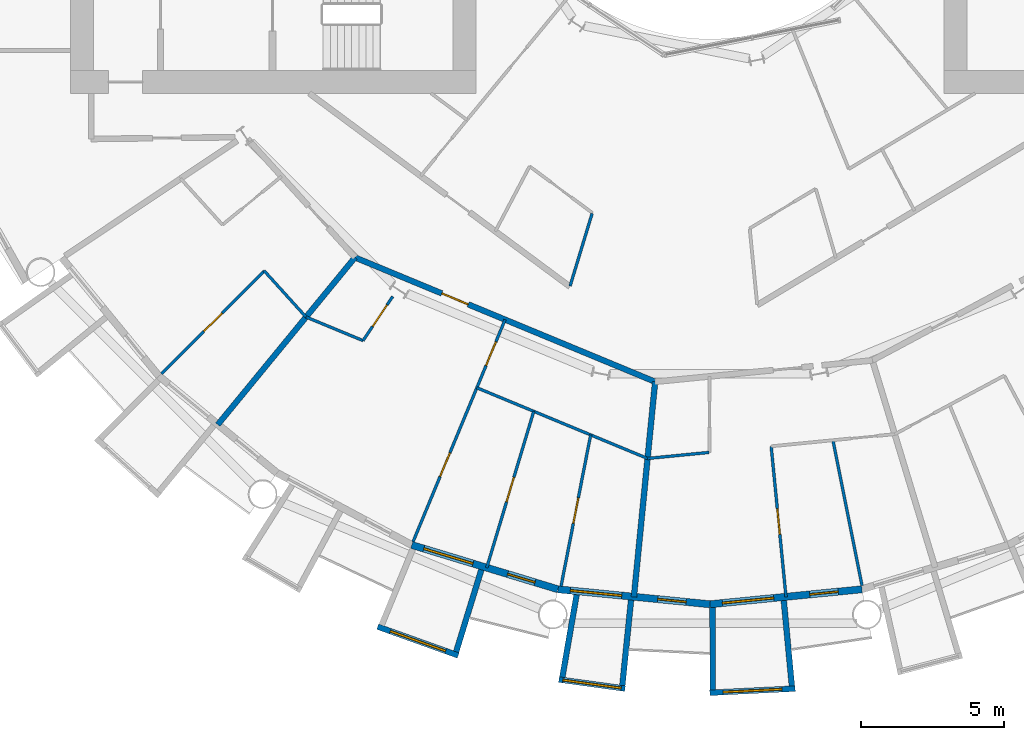
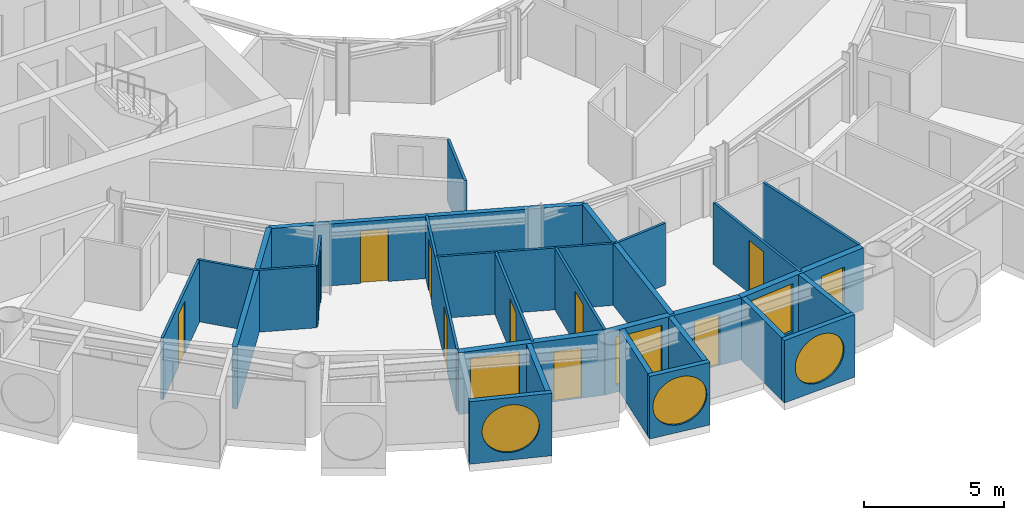
# One storey, part 13 of 26: 26 walls, 11 doors, 6 windows, 17 openings.
"""IFC4 building model written with IfcOpenShell, lengths in metres."""

from ifc_helpers import new_model, si_unit, direction, frame, frame_2d, origin, place, context, subcontext, project, spatial, rectangle, circle, extrude, material, layer, layer_set, type_object, element, fill, save


model = new_model("IFC4")

# Units and contexts
model_context = context("Model", 3, precision=1e-05, world=origin(), true_north=direction((0.0, 1.0)))
body_context = subcontext(model_context, "Body", "Model", "MODEL_VIEW")
ifc_project = project(units=[si_unit("LENGTHUNIT", "METRE"), si_unit("AREAUNIT", "SQUARE_METRE"), si_unit("VOLUMEUNIT", "CUBIC_METRE"), si_unit("PLANEANGLEUNIT", "RADIAN"), si_unit("MASSUNIT", "GRAM", prefix="KILO")], contexts=[model_context])

# Site, building, storey
site_placement = place(None, origin())
site = spatial("IfcSite", under=ifc_project, at=site_placement, CompositionType="ELEMENT")
building_placement = place(site_placement, origin())
building = spatial("IfcBuilding", under=site, at=building_placement, Name="Maasbend Ring Residences", CompositionType="ELEMENT")
storey_placement = place(building_placement, frame((0.0, 0.0, 47.199951171875)))
storey = spatial("IfcBuildingStorey", under=building, at=storey_placement, Name="L13", CompositionType="ELEMENT", Elevation=47.199951171875)

# Wall, opening, door
ifc_material_1 = material(Name="Concrete C30/37", Category="concrete")
ifc_layer_1 = layer(ifc_material_1, 0.199951171875)
ifc_layer_set_1 = layer_set([ifc_layer_1], Name="Concrete C30/37")
wall_type_1 = type_object("IfcWallType", Name="CORRIDOR WALL 200 CONCRETE", PredefinedType="PARTITIONING", material=ifc_layer_set_1)
wall_1_placement = place(storey_placement, frame((-12.43408203125, -15.15087890625, 0.0), z_axis=(0.0, 0.0, 1.0), x_axis=(0.923888467236, -0.382661861319, 0.0)))
wall_1 = element("IfcWall", 1, at=wall_1_placement, inside=storey, type_object=wall_type_1, Name="U-L13-w019", PredefinedType="PARTITIONING", context=body_context, shape_type="SweptSolid", body=[
    extrude(rectangle(XDim=11.38134765625, YDim=0.199951171875, at=frame_2d((5.690673828125, 0.0))), origin(), (0.0, 0.0, 1.0), 2.699951171875),
])
opening_1_placement = place(wall_1_placement, frame((3.2919921875, 0.0, 0.0)))
opening_1 = element("IfcOpeningElement", 2, at=opening_1_placement, cuts=wall_1, Name="Opening D-1333", PredefinedType="OPENING", context=body_context, shape_type="SweptSolid", body=[
    extrude(rectangle(XDim=1.0, YDim=2.300048828125, at=frame_2d((0.5, 1.14990234375))), frame((0.0, 0.10986328125, 0.0), z_axis=(0.0, -1.0, 0.0), x_axis=(1.0, 0.0, 0.0)), (0.0, 0.0, 1.0), 0.219970703125),
])
ifc_material_2 = material(Name="Timber, fire-rated, painted", Category="wood")
door_type_1 = type_object("IfcDoorType", Name="FLAT ENTRANCE DOOR 1000 X 2300 FIRE-RATED", OperationType="NOTDEFINED", PredefinedType="DOOR", material=ifc_material_2)
door_1_placement = place(opening_1_placement, origin())
door_1 = element("IfcDoor", 3, at=door_1_placement, inside=storey, type_object=door_type_1, Name="D-1333", OperationType="SINGLE_SWING_LEFT", OverallHeight=2.300048828125, OverallWidth=1.0, PredefinedType="DOOR", context=body_context, shape_type="SweptSolid", body=[
    extrude(rectangle(XDim=1.0, YDim=2.300048828125, at=frame_2d((0.5, 1.14990234375))), frame((0.0, 0.02490234375, 0.0), z_axis=(0.0, -1.0, 0.0), x_axis=(1.0, 0.0, 0.0)), (0.0, 0.0, 1.0), 0.050048828125),
])
fill(opening_1, door_1)

# Wall, opening, window
ifc_material_3 = material(Name="Pale anodised aluminium panel", Category="aluminium")
ifc_layer_2 = layer(ifc_material_3, 0.199951171875)
ifc_layer_set_2 = layer_set([ifc_layer_2], Name="EW-BOX")
wall_type_2 = type_object("IfcWallType", Name="EW-BOX", PredefinedType="SOLIDWALL", material=ifc_layer_set_2)
wall_2_placement = place(storey_placement, frame((-11.637939453125, -28.083984375, -0.030029296875), z_axis=(0.0, 0.0, 1.0), x_axis=(0.941461077774, -0.337121697664, 0.0)))
wall_2 = element("IfcWall", 4, at=wall_2_placement, inside=storey, type_object=wall_type_2, Name="Box front S07", PredefinedType="SOLIDWALL", context=body_context, shape_type="SweptSolid", body=[
    extrude(rectangle(XDim=2.9931640625, YDim=0.199951171875, at=frame_2d((1.49658203125, 0.0))), origin(), (0.0, 0.0, 1.0), 2.72998046875),
])
opening_2_placement = place(wall_2_placement, frame((0.45654296875, 0.0, 0.330078125)))
opening_2 = element("IfcOpeningElement", 5, at=opening_2_placement, cuts=wall_2, Name="Opening W-RD", PredefinedType="OPENING", context=body_context, shape_type="SweptSolid", body=[
    extrude(circle(Radius=1.0400390625, at=frame_2d((1.0400390625, 1.0400390625))), frame((0.0, 0.10986328125, 0.0), z_axis=(0.0, -1.0, 0.0), x_axis=(1.0, 0.0, 0.0)), (0.0, 0.0, 1.0), 0.219970703125),
])
ifc_material_4 = material(Name="Aluminium and clear glass", Category="aluminium")
window_type_1 = type_object("IfcWindowType", Name="W-RD", PartitioningType="SINGLE_PANEL", PredefinedType="WINDOW", material=ifc_material_4)
window_1_placement = place(opening_2_placement, origin())
window_1 = element("IfcWindow", 6, at=window_1_placement, inside=storey, type_object=window_type_1, Name="Round window S07", OverallHeight=2.080078125, OverallWidth=2.080078125, PartitioningType="SINGLE_PANEL", PredefinedType="WINDOW", context=body_context, shape_type="SweptSolid", body=[
    extrude(circle(Radius=1.0400390625, at=frame_2d((1.0400390625, 1.0400390625))), frame((0.0, 0.030029296875, 0.0), z_axis=(0.0, -1.0, 0.0), x_axis=(1.0, 0.0, 0.0)), (0.0, 0.0, 1.0), 0.06005859375),
])
fill(opening_2, window_1)

# Wall
wall_3_placement = place(storey_placement, frame((-8.009033203125, -26.092041015625, -0.030029296875), z_axis=(0.0, 0.0, 1.0), x_axis=(-0.293406695073, -0.955987715029, 0.0)))
element("IfcWall", 7, at=wall_3_placement, inside=storey, type_object=wall_type_2, Name="Box side wall S07 right", PredefinedType="SOLIDWALL", context=body_context, shape_type="SweptSolid", body=[
    extrude(rectangle(XDim=3.00634765625, YDim=0.199951171875, at=frame_2d((1.503173828125, 0.0))), origin(), (0.0, 0.0, 1.0), 2.72998046875),
])

# Wall, opening, window
wall_4_placement = place(storey_placement, frame((-5.2900390625, -29.93603515625, -0.030029296875), z_axis=(0.0, 0.0, 1.0), x_axis=(0.990696111261, -0.136092671119, 0.0)))
wall_4 = element("IfcWall", 8, at=wall_4_placement, inside=storey, type_object=wall_type_2, Name="Box front S09", PredefinedType="SOLIDWALL", context=body_context, shape_type="SweptSolid", body=[
    extrude(rectangle(XDim=2.335693359375, YDim=0.199951171875, at=frame_2d((1.16796875, 0.0))), origin(), (0.0, 0.0, 1.0), 2.72998046875),
])
opening_3_placement = place(wall_4_placement, frame((0.128173828125, 0.0, 0.330078125)))
opening_3 = element("IfcOpeningElement", 9, at=opening_3_placement, cuts=wall_4, Name="Opening W-RD", PredefinedType="OPENING", context=body_context, shape_type="SweptSolid", body=[
    extrude(circle(Radius=1.0400390625, at=frame_2d((1.0400390625, 1.0400390625))), frame((0.0, 0.10986328125, 0.0), z_axis=(0.0, -1.0, 0.0), x_axis=(1.0, 0.0, 0.0)), (0.0, 0.0, 1.0), 0.219970703125),
])
window_2_placement = place(opening_3_placement, origin())
window_2 = element("IfcWindow", 10, at=window_2_placement, inside=storey, type_object=window_type_1, Name="Round window S09", OverallHeight=2.080078125, OverallWidth=2.080078125, PartitioningType="SINGLE_PANEL", PredefinedType="WINDOW", context=body_context, shape_type="SweptSolid", body=[
    extrude(circle(Radius=1.0400390625, at=frame_2d((1.0400390625, 1.0400390625))), frame((0.0, 0.030029296875, 0.0), z_axis=(0.0, -1.0, 0.0), x_axis=(1.0, 0.0, 0.0)), (0.0, 0.0, 1.0), 0.06005859375),
])
fill(opening_3, window_2)

# Walls
wall_5_placement = place(storey_placement, frame((-4.6708984375, -26.966064453125, -0.030029296875), z_axis=(0.0, 0.0, 1.0), x_axis=(-0.170539878907, -0.985350774954, 0.0)))
element("IfcWall", 11, at=wall_5_placement, inside=storey, type_object=wall_type_2, Name="Box side wall S09 left", PredefinedType="SOLIDWALL", context=body_context, shape_type="SweptSolid", body=[
    extrude(rectangle(XDim=2.931884765625, YDim=0.199951171875, at=frame_2d((1.4658203125, 0.0))), origin(), (0.0, 0.0, 1.0), 2.72998046875),
])
wall_6_placement = place(storey_placement, frame((-2.763916015625, -27.153076171875, -0.030029296875), z_axis=(0.0, 0.0, 1.0), x_axis=(-0.101505487237, -0.994834979311, 0.0)))
element("IfcWall", 12, at=wall_6_placement, inside=storey, type_object=wall_type_2, Name="Box side wall S09 right", PredefinedType="SOLIDWALL", context=body_context, shape_type="SweptSolid", body=[
    extrude(rectangle(XDim=3.006591796875, YDim=0.199951171875, at=frame_2d((1.50341796875, 0.0))), origin(), (0.0, 0.0, 1.0), 2.72998046875),
])

# Wall, opening, window
wall_7_placement = place(storey_placement, frame((-0.0048828125, -30.39990234375, -0.030029296875), z_axis=(0.0, 0.0, 1.0), x_axis=(0.998794083011, 0.049095618353, 0.0)))
wall_7 = element("IfcWall", 13, at=wall_7_placement, inside=storey, type_object=wall_type_2, Name="Box front S11", PredefinedType="SOLIDWALL", context=body_context, shape_type="SweptSolid", body=[
    extrude(rectangle(XDim=2.99365234375, YDim=0.199951171875, at=frame_2d((1.496826171875, 0.0))), origin(), (0.0, 0.0, 1.0), 2.72998046875),
])
opening_4_placement = place(wall_7_placement, frame((0.45654296875, 0.0, 0.330078125)))
opening_4 = element("IfcOpeningElement", 14, at=opening_4_placement, cuts=wall_7, Name="Opening W-RD", PredefinedType="OPENING", context=body_context, shape_type="SweptSolid", body=[
    extrude(circle(Radius=1.0400390625, at=frame_2d((1.0400390625, 1.0400390625))), frame((0.0, 0.10986328125, 0.0), z_axis=(0.0, -1.0, 0.0), x_axis=(1.0, 0.0, 0.0)), (0.0, 0.0, 1.0), 0.219970703125),
])
window_3_placement = place(opening_4_placement, origin())
window_3 = element("IfcWindow", 15, at=window_3_placement, inside=storey, type_object=window_type_1, Name="Round window S11", OverallHeight=2.080078125, OverallWidth=2.080078125, PartitioningType="SINGLE_PANEL", PredefinedType="WINDOW", context=body_context, shape_type="SweptSolid", body=[
    extrude(circle(Radius=1.0400390625, at=frame_2d((1.0400390625, 1.0400390625))), frame((0.0, 0.030029296875, 0.0), z_axis=(0.0, -1.0, 0.0), x_axis=(1.0, 0.0, 0.0)), (0.0, 0.0, 1.0), 0.06005859375),
])
fill(opening_4, window_3)

# Walls
wall_8_placement = place(storey_placement, frame((0.090087890625, -27.4169921875, -0.030029296875), z_axis=(0.0, 0.0, 1.0), x_axis=(0.00347308367, -0.999993968827, 0.0)))
element("IfcWall", 16, at=wall_8_placement, inside=storey, type_object=wall_type_2, Name="Box side wall S11 left", PredefinedType="SOLIDWALL", context=body_context, shape_type="SweptSolid", body=[
    extrude(rectangle(XDim=2.882080078125, YDim=0.199951171875, at=frame_2d((1.44091796875, 0.0))), origin(), (0.0, 0.0, 1.0), 2.72998046875),
])
wall_9_placement = place(storey_placement, frame((2.5859375, -27.1708984375, -0.030029296875), z_axis=(0.0, 0.0, 1.0), x_axis=(0.094548432284, -0.995520262954, 0.0)))
element("IfcWall", 17, at=wall_9_placement, inside=storey, type_object=wall_type_2, Name="Box side wall S11 right", PredefinedType="SOLIDWALL", context=body_context, shape_type="SweptSolid", body=[
    extrude(rectangle(XDim=3.005615234375, YDim=0.199951171875, at=frame_2d((1.5029296875, 0.0))), origin(), (0.0, 0.0, 1.0), 2.72998046875),
])

# Wall, openings, door, window
ifc_material_5 = material(Name="Aluminium clad insulated panel", Category="aluminium")
ifc_layer_3 = layer(ifc_material_5, 0.25)
ifc_layer_set_3 = layer_set([ifc_layer_3], Name="EW-GL")
wall_type_3 = type_object("IfcWallType", Name="EW-GL", PredefinedType="SOLIDWALL", material=ifc_layer_set_3)
wall_10_placement = place(storey_placement, frame((-10.447021484375, -25.221923828125, 0.0), z_axis=(0.0, 0.0, 1.0), x_axis=(0.956965678721, -0.290201119486, 0.0)))
wall_10 = element("IfcWall", 18, at=wall_10_placement, inside=storey, type_object=wall_type_3, Name="External wall S04", PredefinedType="SOLIDWALL", context=body_context, shape_type="SweptSolid", body=[
    extrude(rectangle(XDim=5.351318359375, YDim=0.25, at=frame_2d((2.67578125, 0.0))), origin(), (0.0, 0.0, 1.0), 2.699951171875),
])
opening_5_placement = place(wall_10_placement, frame((0.441162109375, 0.0, 0.300048828125)))
opening_5 = element("IfcOpeningElement", 19, at=opening_5_placement, cuts=wall_10, Name="Opening W-BX", PredefinedType="OPENING", context=body_context, shape_type="SweptSolid", body=[
    extrude(rectangle(XDim=1.800048828125, YDim=2.10009765625, at=frame_2d((0.89990234375, 1.050048828125))), frame((0.0, 0.135009765625, 0.0), z_axis=(0.0, -1.0, 0.0), x_axis=(1.0, 0.0, 0.0)), (0.0, 0.0, 1.0), 0.27001953125),
])
opening_6_placement = place(wall_10_placement, frame((3.510498046875, 0.0, 0.0)))
opening_6 = element("IfcOpeningElement", 20, at=opening_6_placement, cuts=wall_10, Name="Opening D-LG", PredefinedType="OPENING", context=body_context, shape_type="SweptSolid", body=[
    extrude(rectangle(XDim=1.0, YDim=2.199951171875, at=frame_2d((0.5, 1.10009765625))), frame((0.0, 0.135009765625, 0.0), z_axis=(0.0, -1.0, 0.0), x_axis=(1.0, 0.0, 0.0)), (0.0, 0.0, 1.0), 0.27001953125),
])
ifc_material_6 = material(Name="Aluminium and clear glass", Category="aluminium")
door_type_2 = type_object("IfcDoorType", Name="D-LG", OperationType="SINGLE_SWING_LEFT", PredefinedType="DOOR", material=ifc_material_6)
door_2_placement = place(opening_6_placement, origin())
door_2 = element("IfcDoor", 21, at=door_2_placement, inside=storey, type_object=door_type_2, Name="Loggia door S08", OperationType="SINGLE_SWING_LEFT", OverallHeight=2.199951171875, OverallWidth=1.0, PredefinedType="DOOR", context=body_context, shape_type="SweptSolid", body=[
    extrude(rectangle(XDim=1.0, YDim=2.199951171875, at=frame_2d((0.5, 1.10009765625))), frame((0.0, 0.02490234375, 0.0), z_axis=(0.0, -1.0, 0.0), x_axis=(1.0, 0.0, 0.0)), (0.0, 0.0, 1.0), 0.050048828125),
])
fill(opening_6, door_2)
ifc_material_7 = material(Name="Aluminium and clear glass", Category="aluminium")
window_type_2 = type_object("IfcWindowType", Name="W-BX", PartitioningType="DOUBLE_PANEL_VERTICAL", PredefinedType="WINDOW", material=ifc_material_7)
window_4_placement = place(opening_5_placement, origin())
window_4 = element("IfcWindow", 22, at=window_4_placement, inside=storey, type_object=window_type_2, Name="Window S07 room to box", OverallHeight=2.10009765625, OverallWidth=1.800048828125, PartitioningType="SINGLE_PANEL", PredefinedType="WINDOW", context=body_context, shape_type="SweptSolid", body=[
    extrude(rectangle(XDim=1.800048828125, YDim=2.10009765625, at=frame_2d((0.89990234375, 1.050048828125))), frame((0.0, 0.030029296875, 0.0), z_axis=(0.0, -1.0, 0.0), x_axis=(1.0, 0.0, 0.0)), (0.0, 0.0, 1.0), 0.06005859375),
])
fill(opening_5, window_4)

wall_11_placement = place(storey_placement, frame((-5.325927734375, -26.77490234375, 0.0), z_axis=(0.0, 0.0, 1.0), x_axis=(0.995173996315, -0.098126026407, 0.0)))
wall_11 = element("IfcWall", 23, at=wall_11_placement, inside=storey, type_object=wall_type_3, Name="External wall S05", PredefinedType="SOLIDWALL", context=body_context, shape_type="SweptSolid", body=[
    extrude(rectangle(XDim=5.351806640625, YDim=0.25, at=frame_2d((2.67578125, 0.0))), origin(), (0.0, 0.0, 1.0), 2.699951171875),
])
opening_7_placement = place(wall_11_placement, frame((0.441162109375, 0.0, 0.300048828125)))
opening_7 = element("IfcOpeningElement", 24, at=opening_7_placement, cuts=wall_11, Name="Opening W-BX", PredefinedType="OPENING", context=body_context, shape_type="SweptSolid", body=[
    extrude(rectangle(XDim=1.800048828125, YDim=2.10009765625, at=frame_2d((0.89990234375, 1.050048828125))), frame((0.0, 0.135009765625, 0.0), z_axis=(0.0, -1.0, 0.0), x_axis=(1.0, 0.0, 0.0)), (0.0, 0.0, 1.0), 0.27001953125),
])
opening_8_placement = place(wall_11_placement, frame((3.510498046875, 0.0, 0.0)))
opening_8 = element("IfcOpeningElement", 25, at=opening_8_placement, cuts=wall_11, Name="Opening D-LG", PredefinedType="OPENING", context=body_context, shape_type="SweptSolid", body=[
    extrude(rectangle(XDim=1.0, YDim=2.199951171875, at=frame_2d((0.5, 1.10009765625))), frame((0.0, 0.135009765625, 0.0), z_axis=(0.0, -1.0, 0.0), x_axis=(1.0, 0.0, 0.0)), (0.0, 0.0, 1.0), 0.27001953125),
])
door_3_placement = place(opening_8_placement, origin())
door_3 = element("IfcDoor", 26, at=door_3_placement, inside=storey, type_object=door_type_2, Name="Loggia door S10", OperationType="SINGLE_SWING_LEFT", OverallHeight=2.199951171875, OverallWidth=1.0, PredefinedType="DOOR", context=body_context, shape_type="SweptSolid", body=[
    extrude(rectangle(XDim=1.0, YDim=2.199951171875, at=frame_2d((0.5, 1.10009765625))), frame((0.0, 0.02490234375, 0.0), z_axis=(0.0, -1.0, 0.0), x_axis=(1.0, 0.0, 0.0)), (0.0, 0.0, 1.0), 0.050048828125),
])
fill(opening_8, door_3)
window_5_placement = place(opening_7_placement, origin())
window_5 = element("IfcWindow", 27, at=window_5_placement, inside=storey, type_object=window_type_2, Name="Window S09 room to box", OverallHeight=2.10009765625, OverallWidth=1.800048828125, PartitioningType="SINGLE_PANEL", PredefinedType="WINDOW", context=body_context, shape_type="SweptSolid", body=[
    extrude(rectangle(XDim=1.800048828125, YDim=2.10009765625, at=frame_2d((0.89990234375, 1.050048828125))), frame((0.0, 0.030029296875, 0.0), z_axis=(0.0, -1.0, 0.0), x_axis=(1.0, 0.0, 0.0)), (0.0, 0.0, 1.0), 0.06005859375),
])
fill(opening_7, window_5)

wall_12_placement = place(storey_placement, frame((0.0, -27.300048828125, 0.0), z_axis=(0.0, 0.0, 1.0), x_axis=(0.995173996315, 0.098126026407, 0.0)))
wall_12 = element("IfcWall", 28, at=wall_12_placement, inside=storey, type_object=wall_type_3, Name="External wall S06", PredefinedType="SOLIDWALL", context=body_context, shape_type="SweptSolid", body=[
    extrude(rectangle(XDim=5.351806640625, YDim=0.25, at=frame_2d((2.67578125, 0.0))), origin(), (0.0, 0.0, 1.0), 2.699951171875),
])
opening_9_placement = place(wall_12_placement, frame((0.441162109375, 0.0, 0.300048828125)))
opening_9 = element("IfcOpeningElement", 29, at=opening_9_placement, cuts=wall_12, Name="Opening W-BX", PredefinedType="OPENING", context=body_context, shape_type="SweptSolid", body=[
    extrude(rectangle(XDim=1.800048828125, YDim=2.10009765625, at=frame_2d((0.89990234375, 1.050048828125))), frame((0.0, 0.135009765625, 0.0), z_axis=(0.0, -1.0, 0.0), x_axis=(1.0, 0.0, 0.0)), (0.0, 0.0, 1.0), 0.27001953125),
])
opening_10_placement = place(wall_12_placement, frame((3.510498046875, 0.0, 0.0)))
opening_10 = element("IfcOpeningElement", 30, at=opening_10_placement, cuts=wall_12, Name="Opening D-LG", PredefinedType="OPENING", context=body_context, shape_type="SweptSolid", body=[
    extrude(rectangle(XDim=1.0, YDim=2.199951171875, at=frame_2d((0.5, 1.10009765625))), frame((0.0, 0.135009765625, 0.0), z_axis=(0.0, -1.0, 0.0), x_axis=(1.0, 0.0, 0.0)), (0.0, 0.0, 1.0), 0.27001953125),
])
door_4_placement = place(opening_10_placement, origin())
door_4 = element("IfcDoor", 31, at=door_4_placement, inside=storey, type_object=door_type_2, Name="Loggia door S12", OperationType="SINGLE_SWING_LEFT", OverallHeight=2.199951171875, OverallWidth=1.0, PredefinedType="DOOR", context=body_context, shape_type="SweptSolid", body=[
    extrude(rectangle(XDim=1.0, YDim=2.199951171875, at=frame_2d((0.5, 1.10009765625))), frame((0.0, 0.02490234375, 0.0), z_axis=(0.0, -1.0, 0.0), x_axis=(1.0, 0.0, 0.0)), (0.0, 0.0, 1.0), 0.050048828125),
])
fill(opening_10, door_4)
window_6_placement = place(opening_9_placement, origin())
window_6 = element("IfcWindow", 32, at=window_6_placement, inside=storey, type_object=window_type_2, Name="Window S11 room to box", OverallHeight=2.10009765625, OverallWidth=1.800048828125, PartitioningType="SINGLE_PANEL", PredefinedType="WINDOW", context=body_context, shape_type="SweptSolid", body=[
    extrude(rectangle(XDim=1.800048828125, YDim=2.10009765625, at=frame_2d((0.89990234375, 1.050048828125))), frame((0.0, 0.030029296875, 0.0), z_axis=(0.0, -1.0, 0.0), x_axis=(1.0, 0.0, 0.0)), (0.0, 0.0, 1.0), 0.06005859375),
])
fill(opening_9, window_6)

# Walls
ifc_material_8 = material(Name="Gypsum board on steel studs", Category="steel")
ifc_layer_4 = layer(ifc_material_8, 0.10009765625)
ifc_layer_set_4 = layer_set([ifc_layer_4], Name="PARTITION 100 GYPSUM")
wall_type_4 = type_object("IfcWallType", Name="PARTITION 100 GYPSUM", PredefinedType="PARTITIONING", material=ifc_layer_set_4)
wall_13_placement = place(storey_placement, frame((-15.616943359375, -15.616943359375, 0.0), z_axis=(0.0, 0.0, 1.0), x_axis=(0.671144831591, -0.741326254107, 0.0)))
element("IfcWall", 33, at=wall_13_placement, inside=storey, type_object=wall_type_4, Name="U-L13-w002", PredefinedType="PARTITIONING", context=body_context, shape_type="SweptSolid", body=[
    extrude(rectangle(XDim=2.18115234375, YDim=0.10009765625, at=frame_2d((1.090576171875, 0.0))), origin(), (0.0, 0.0, 1.0), 2.699951171875),
])
wall_14_placement = place(storey_placement, frame((-2.196044921875, -22.193115234375, 0.0), z_axis=(0.0, 0.0, 1.0), x_axis=(0.995193648169, 0.097926516552, 0.0)))
element("IfcWall", 34, at=wall_14_placement, inside=storey, type_object=wall_type_4, Name="U-L13-w005", PredefinedType="PARTITIONING", context=body_context, shape_type="SweptSolid", body=[
    extrude(rectangle(XDim=2.176513671875, YDim=0.10009765625, at=frame_2d((1.08837890625, 0.0))), origin(), (0.0, 0.0, 1.0), 2.699951171875),
])
wall_15_placement = place(storey_placement, frame((-14.14697265625, -17.238037109375, 0.0), z_axis=(0.0, 0.0, 1.0), x_axis=(0.923874819588, -0.382694810171, 0.0)))
element("IfcWall", 35, at=wall_15_placement, inside=storey, type_object=wall_type_4, Name="U-L13-w011", PredefinedType="PARTITIONING", context=body_context, shape_type="SweptSolid", body=[
    extrude(rectangle(XDim=2.158203125, YDim=0.10009765625, at=frame_2d((1.0791015625, 0.0))), origin(), (0.0, 0.0, 1.0), 2.699951171875),
])
wall_16_placement = place(storey_placement, frame((-8.1640625, -19.716064453125, 0.0), z_axis=(0.0, 0.0, 1.0), x_axis=(0.92387253274, -0.38270033087, 0.0)))
element("IfcWall", 36, at=wall_16_placement, inside=storey, type_object=wall_type_4, Name="U-L13-w012", PredefinedType="PARTITIONING", context=body_context, shape_type="SweptSolid", body=[
    extrude(rectangle(XDim=6.47509765625, YDim=0.10009765625, at=frame_2d((3.237548828125, 0.0))), origin(), (0.0, 0.0, 1.0), 2.699951171875),
])

# Wall, opening, door
wall_17_placement = place(storey_placement, frame((-19.2099609375, -19.221923828125, 0.0), z_axis=(0.0, 0.0, 1.0), x_axis=(0.706914880313, 0.707298629994, 0.0)))
wall_17 = element("IfcWall", 37, at=wall_17_placement, inside=storey, type_object=wall_type_4, Name="U-L13-w035", PredefinedType="PARTITIONING", context=body_context, shape_type="SweptSolid", body=[
    extrude(rectangle(XDim=5.089599609375, YDim=0.10009765625, at=frame_2d((2.544921875, 0.0))), origin(), (0.0, 0.0, 1.0), 2.699951171875),
])
opening_11_placement = place(wall_17_placement, frame((2.094970703125, 0.0, 0.0)))
opening_11 = element("IfcOpeningElement", 38, at=opening_11_placement, cuts=wall_17, Name="Opening D-1332", PredefinedType="OPENING", context=body_context, shape_type="SweptSolid", body=[
    extrude(rectangle(XDim=0.89990234375, YDim=2.300048828125, at=frame_2d((0.449951171875, 1.14990234375))), frame((0.0, 0.06005859375, 0.0), z_axis=(0.0, -1.0, 0.0), x_axis=(1.0, 0.0, 0.0)), (0.0, 0.0, 1.0), 0.1201171875),
])
ifc_material_9 = material(Name="Timber, painted", Category="wood")
door_type_3 = type_object("IfcDoorType", Name="INTERNAL DOOR 900 X 2300", OperationType="NOTDEFINED", PredefinedType="DOOR", material=ifc_material_9)
door_5_placement = place(opening_11_placement, origin())
door_5 = element("IfcDoor", 39, at=door_5_placement, inside=storey, type_object=door_type_3, Name="D-1332", OperationType="SINGLE_SWING_RIGHT", OverallHeight=2.300048828125, OverallWidth=0.89990234375, PredefinedType="DOOR", context=body_context, shape_type="SweptSolid", body=[
    extrude(rectangle(XDim=0.89990234375, YDim=2.300048828125, at=frame_2d((0.449951171875, 1.14990234375))), frame((0.0, 0.02490234375, 0.0), z_axis=(0.0, -1.0, 0.0), x_axis=(1.0, 0.0, 0.0)), (0.0, 0.0, 1.0), 0.050048828125),
])
fill(opening_11, door_5)

wall_18_placement = place(storey_placement, frame((-12.153076171875, -18.06396484375, 0.0), z_axis=(0.0, 0.0, 1.0), x_axis=(0.558084773293, 0.829783939239, 0.0)))
wall_18 = element("IfcWall", 40, at=wall_18_placement, inside=storey, type_object=wall_type_4, Name="U-L13-w040", PredefinedType="PARTITIONING", context=body_context, shape_type="SweptSolid", body=[
    extrude(rectangle(XDim=1.86181640625, YDim=0.10009765625, at=frame_2d((0.930908203125, 0.0))), origin(), (0.0, 0.0, 1.0), 2.699951171875),
])
opening_12_placement = place(wall_18_placement, frame((0.60009765625, 0.0, 0.0)))
opening_12 = element("IfcOpeningElement", 41, at=opening_12_placement, cuts=wall_18, Name="Opening D-1334", PredefinedType="OPENING", context=body_context, shape_type="SweptSolid", body=[
    extrude(rectangle(XDim=0.89990234375, YDim=2.300048828125, at=frame_2d((0.449951171875, 1.14990234375))), frame((0.0, 0.06005859375, 0.0), z_axis=(0.0, -1.0, 0.0), x_axis=(1.0, 0.0, 0.0)), (0.0, 0.0, 1.0), 0.1201171875),
])
door_6_placement = place(opening_12_placement, origin())
door_6 = element("IfcDoor", 42, at=door_6_placement, inside=storey, type_object=door_type_3, Name="D-1334", OperationType="SINGLE_SWING_RIGHT", OverallHeight=2.300048828125, OverallWidth=0.89990234375, PredefinedType="DOOR", context=body_context, shape_type="SweptSolid", body=[
    extrude(rectangle(XDim=0.89990234375, YDim=2.300048828125, at=frame_2d((0.449951171875, 1.14990234375))), frame((0.0, 0.02490234375, 0.0), z_axis=(0.0, -1.0, 0.0), x_axis=(1.0, 0.0, 0.0)), (0.0, 0.0, 1.0), 0.050048828125),
])
fill(opening_12, door_6)

# Wall, openings, doors
wall_19_placement = place(storey_placement, frame((-10.39892578125, -25.10595703125, 0.0), z_axis=(0.0, 0.0, 1.0), x_axis=(0.382697543868, 0.923873687209, 0.0)))
wall_19 = element("IfcWall", 43, at=wall_19_placement, inside=storey, type_object=wall_type_4, Name="U-L13-w042", PredefinedType="PARTITIONING", context=body_context, shape_type="SweptSolid", body=[
    extrude(rectangle(XDim=8.4189453125, YDim=0.10009765625, at=frame_2d((4.20947265625, 0.0))), origin(), (0.0, 0.0, 1.0), 2.699951171875),
])
opening_13_placement = place(wall_19_placement, frame((6.677001953125, 0.0, 0.0)))
opening_13 = element("IfcOpeningElement", 44, at=opening_13_placement, cuts=wall_19, Name="Opening D-1335", PredefinedType="OPENING", context=body_context, shape_type="SweptSolid", body=[
    extrude(rectangle(XDim=0.89990234375, YDim=2.300048828125, at=frame_2d((0.449951171875, 1.14990234375))), frame((0.0, 0.06005859375, 0.0), z_axis=(0.0, -1.0, 0.0), x_axis=(1.0, 0.0, 0.0)), (0.0, 0.0, 1.0), 0.1201171875),
])
opening_14_placement = place(wall_19_placement, frame((2.468017578125, 0.0, 0.0)))
opening_14 = element("IfcOpeningElement", 45, at=opening_14_placement, cuts=wall_19, Name="Opening D-1336", PredefinedType="OPENING", context=body_context, shape_type="SweptSolid", body=[
    extrude(rectangle(XDim=0.89990234375, YDim=2.300048828125, at=frame_2d((0.449951171875, 1.14990234375))), frame((0.0, 0.06005859375, 0.0), z_axis=(0.0, -1.0, 0.0), x_axis=(1.0, 0.0, 0.0)), (0.0, 0.0, 1.0), 0.1201171875),
])
door_7_placement = place(opening_13_placement, origin())
door_7 = element("IfcDoor", 46, at=door_7_placement, inside=storey, type_object=door_type_3, Name="D-1335", OperationType="SINGLE_SWING_RIGHT", OverallHeight=2.300048828125, OverallWidth=0.89990234375, PredefinedType="DOOR", context=body_context, shape_type="SweptSolid", body=[
    extrude(rectangle(XDim=0.89990234375, YDim=2.300048828125, at=frame_2d((0.449951171875, 1.14990234375))), frame((0.0, 0.02490234375, 0.0), z_axis=(0.0, -1.0, 0.0), x_axis=(1.0, 0.0, 0.0)), (0.0, 0.0, 1.0), 0.050048828125),
])
fill(opening_13, door_7)
door_8_placement = place(opening_14_placement, origin())
door_8 = element("IfcDoor", 47, at=door_8_placement, inside=storey, type_object=door_type_3, Name="D-1336", OperationType="SINGLE_SWING_LEFT", OverallHeight=2.300048828125, OverallWidth=0.89990234375, PredefinedType="DOOR", context=body_context, shape_type="SweptSolid", body=[
    extrude(rectangle(XDim=0.89990234375, YDim=2.300048828125, at=frame_2d((0.449951171875, 1.14990234375))), frame((0.0, 0.02490234375, 0.0), z_axis=(0.0, -1.0, 0.0), x_axis=(1.0, 0.0, 0.0)), (0.0, 0.0, 1.0), 0.050048828125),
])
fill(opening_14, door_8)

# Wall, opening, door
wall_20_placement = place(storey_placement, frame((-7.821044921875, -26.02490234375, 0.0), z_axis=(0.0, 0.0, 1.0), x_axis=(0.287793773423, 0.957692405723, 0.0)))
wall_20 = element("IfcWall", 48, at=wall_20_placement, inside=storey, type_object=wall_type_4, Name="U-L13-w045", PredefinedType="PARTITIONING", context=body_context, shape_type="SweptSolid", body=[
    extrude(rectangle(XDim=5.72607421875, YDim=0.10009765625, at=frame_2d((2.863037109375, 0.0))), origin(), (0.0, 0.0, 1.0), 2.699951171875),
])
opening_15_placement = place(wall_20_placement, frame((2.4130859375, 0.0, 0.0)))
opening_15 = element("IfcOpeningElement", 49, at=opening_15_placement, cuts=wall_20, Name="Opening D-1337", PredefinedType="OPENING", context=body_context, shape_type="SweptSolid", body=[
    extrude(rectangle(XDim=0.89990234375, YDim=2.300048828125, at=frame_2d((0.449951171875, 1.14990234375))), frame((0.0, 0.06005859375, 0.0), z_axis=(0.0, -1.0, 0.0), x_axis=(1.0, 0.0, 0.0)), (0.0, 0.0, 1.0), 0.1201171875),
])
door_9_placement = place(opening_15_placement, origin())
door_9 = element("IfcDoor", 50, at=door_9_placement, inside=storey, type_object=door_type_3, Name="D-1337", OperationType="SINGLE_SWING_LEFT", OverallHeight=2.300048828125, OverallWidth=0.89990234375, PredefinedType="DOOR", context=body_context, shape_type="SweptSolid", body=[
    extrude(rectangle(XDim=0.89990234375, YDim=2.300048828125, at=frame_2d((0.449951171875, 1.14990234375))), frame((0.0, 0.02490234375, 0.0), z_axis=(0.0, -1.0, 0.0), x_axis=(1.0, 0.0, 0.0)), (0.0, 0.0, 1.0), 0.050048828125),
])
fill(opening_15, door_9)

wall_21_placement = place(storey_placement, frame((-5.217041015625, -26.669921875, 0.0), z_axis=(0.0, 0.0, 1.0), x_axis=(0.192109041462, 0.981373586453, 0.0)))
wall_21 = element("IfcWall", 51, at=wall_21_placement, inside=storey, type_object=wall_type_4, Name="U-L13-w049", PredefinedType="PARTITIONING", context=body_context, shape_type="SweptSolid", body=[
    extrude(rectangle(XDim=5.403564453125, YDim=0.10009765625, at=frame_2d((2.70166015625, 0.0))), origin(), (0.0, 0.0, 1.0), 2.699951171875),
])
opening_16_placement = place(wall_21_placement, frame((2.251953125, 0.0, 0.0)))
opening_16 = element("IfcOpeningElement", 52, at=opening_16_placement, cuts=wall_21, Name="Opening D-1338", PredefinedType="OPENING", context=body_context, shape_type="SweptSolid", body=[
    extrude(rectangle(XDim=0.89990234375, YDim=2.300048828125, at=frame_2d((0.449951171875, 1.14990234375))), frame((0.0, 0.06005859375, 0.0), z_axis=(0.0, -1.0, 0.0), x_axis=(1.0, 0.0, 0.0)), (0.0, 0.0, 1.0), 0.1201171875),
])
door_10_placement = place(opening_16_placement, origin())
door_10 = element("IfcDoor", 53, at=door_10_placement, inside=storey, type_object=door_type_3, Name="D-1338", OperationType="SINGLE_SWING_RIGHT", OverallHeight=2.300048828125, OverallWidth=0.89990234375, PredefinedType="DOOR", context=body_context, shape_type="SweptSolid", body=[
    extrude(rectangle(XDim=0.89990234375, YDim=2.300048828125, at=frame_2d((0.449951171875, 1.14990234375))), frame((0.0, 0.02490234375, 0.0), z_axis=(0.0, -1.0, 0.0), x_axis=(1.0, 0.0, 0.0)), (0.0, 0.0, 1.0), 0.050048828125),
])
fill(opening_16, door_10)

wall_22_placement = place(storey_placement, frame((2.14404296875, -21.76611328125, 0.0), z_axis=(0.0, 0.0, 1.0), x_axis=(0.098054199821, -0.995181075934, 0.0)))
wall_22 = element("IfcWall", 54, at=wall_22_placement, inside=storey, type_object=wall_type_4, Name="U-L13-w055", PredefinedType="PARTITIONING", context=body_context, shape_type="SweptSolid", body=[
    extrude(rectangle(XDim=5.303466796875, YDim=0.10009765625, at=frame_2d((2.65185546875, 0.0))), origin(), (0.0, 0.0, 1.0), 2.699951171875),
])
opening_17_placement = place(wall_22_placement, frame((2.201904296875, 0.0, 0.0)))
opening_17 = element("IfcOpeningElement", 55, at=opening_17_placement, cuts=wall_22, Name="Opening D-1341", PredefinedType="OPENING", context=body_context, shape_type="SweptSolid", body=[
    extrude(rectangle(XDim=0.89990234375, YDim=2.300048828125, at=frame_2d((0.449951171875, 1.14990234375))), frame((0.0, 0.06005859375, 0.0), z_axis=(0.0, -1.0, 0.0), x_axis=(1.0, 0.0, 0.0)), (0.0, 0.0, 1.0), 0.1201171875),
])
door_11_placement = place(opening_17_placement, origin())
door_11 = element("IfcDoor", 56, at=door_11_placement, inside=storey, type_object=door_type_3, Name="D-1341", OperationType="SINGLE_SWING_LEFT", OverallHeight=2.300048828125, OverallWidth=0.89990234375, PredefinedType="DOOR", context=body_context, shape_type="SweptSolid", body=[
    extrude(rectangle(XDim=0.89990234375, YDim=2.300048828125, at=frame_2d((0.449951171875, 1.14990234375))), frame((0.0, 0.02490234375, 0.0), z_axis=(0.0, -1.0, 0.0), x_axis=(1.0, 0.0, 0.0)), (0.0, 0.0, 1.0), 0.050048828125),
])
fill(opening_17, door_11)

# Walls
wall_23_placement = place(storey_placement, frame((4.30908203125, -21.552978515625, 0.0), z_axis=(0.0, 0.0, 1.0), x_axis=(0.195899255693, -0.980624026638, 0.0)))
element("IfcWall", 57, at=wall_23_placement, inside=storey, type_object=wall_type_4, Name="U-L13-w062", PredefinedType="PARTITIONING", context=body_context, shape_type="SweptSolid", body=[
    extrude(rectangle(XDim=5.195556640625, YDim=0.10009765625, at=frame_2d((2.59765625, 0.0))), origin(), (0.0, 0.0, 1.0), 2.699951171875),
])
wall_24_placement = place(storey_placement, frame((-4.1279296875, -13.60888671875, 0.0), z_axis=(0.0, 0.0, 1.0), x_axis=(-0.290456070925, -0.956888327269, 0.0)))
element("IfcWall", 58, at=wall_24_placement, inside=storey, type_object=wall_type_4, Name="U-L13-w108", PredefinedType="PARTITIONING", context=body_context, shape_type="SweptSolid", body=[
    extrude(rectangle(XDim=2.65771484375, YDim=0.10009765625, at=frame_2d((1.328857421875, 0.0))), origin(), (0.0, 0.0, 1.0), 2.699951171875),
])
ifc_material_10 = material(Name="Concrete C30/37", Category="concrete")
ifc_layer_5 = layer(ifc_material_10, 0.199951171875)
ifc_layer_set_5 = layer_set([ifc_layer_5], Name="Concrete C30/37")
wall_type_5 = type_object("IfcWallType", Name="PARTY WALL 200 CONCRETE", PredefinedType="PARTITIONING", material=ifc_layer_set_5)
wall_25_placement = place(storey_placement, frame((-17.240966796875, -21.006103515625, 0.0), z_axis=(0.0, 0.0, 1.0), x_axis=(0.634381303318, 0.773020285633, 0.0)))
element("IfcWall", 59, at=wall_25_placement, inside=storey, type_object=wall_type_5, Name="U-L13-w037", PredefinedType="PARTITIONING", context=body_context, shape_type="SweptSolid", body=[
    extrude(rectangle(XDim=7.57568359375, YDim=0.199951171875, at=frame_2d((3.787841796875, 0.0))), origin(), (0.0, 0.0, 1.0), 2.699951171875),
])
wall_26_placement = place(storey_placement, frame((-2.6640625, -27.0439453125, 0.0), z_axis=(0.0, 0.0, 1.0), x_axis=(0.098115395479, 0.995175044487, 0.0)))
element("IfcWall", 60, at=wall_26_placement, inside=storey, type_object=wall_type_5, Name="U-L13-w052", PredefinedType="PARTITIONING", context=body_context, shape_type="SweptSolid", body=[
    extrude(rectangle(XDim=7.574462890625, YDim=0.199951171875, at=frame_2d((3.787109375, 0.0))), origin(), (0.0, 0.0, 1.0), 2.699951171875),
])

save(model, "model.ifc")
